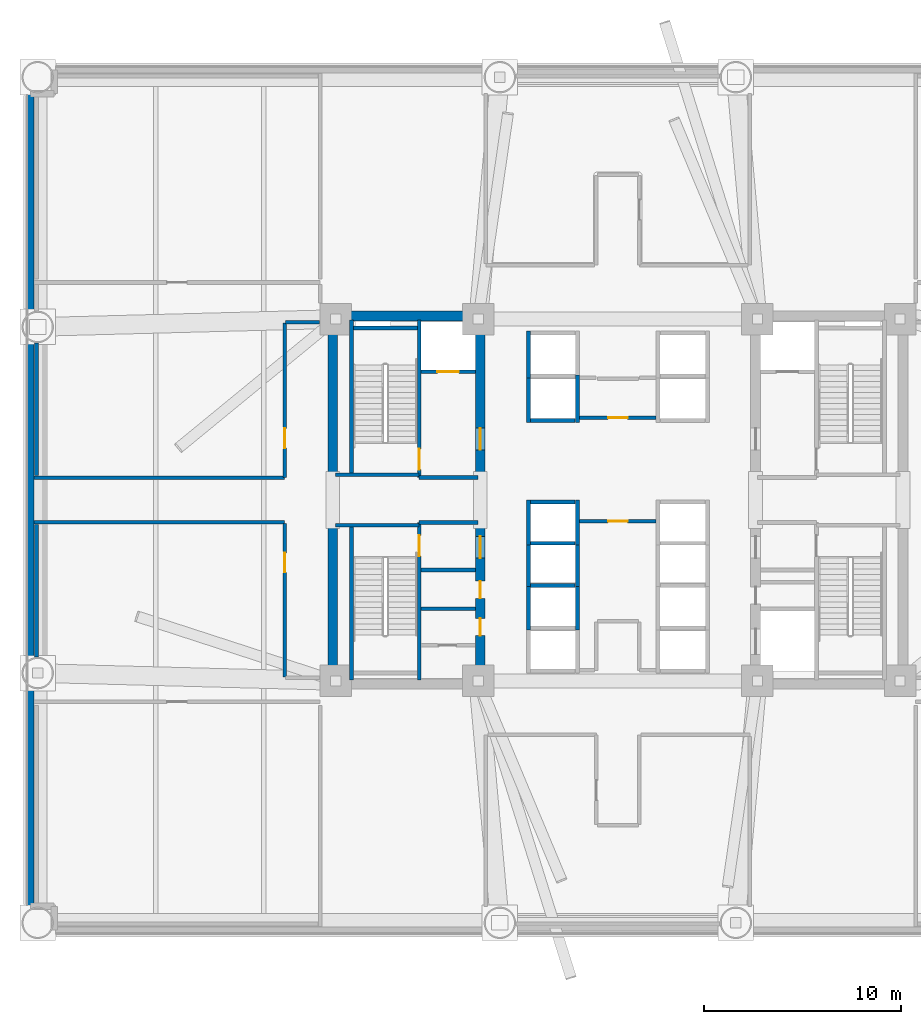
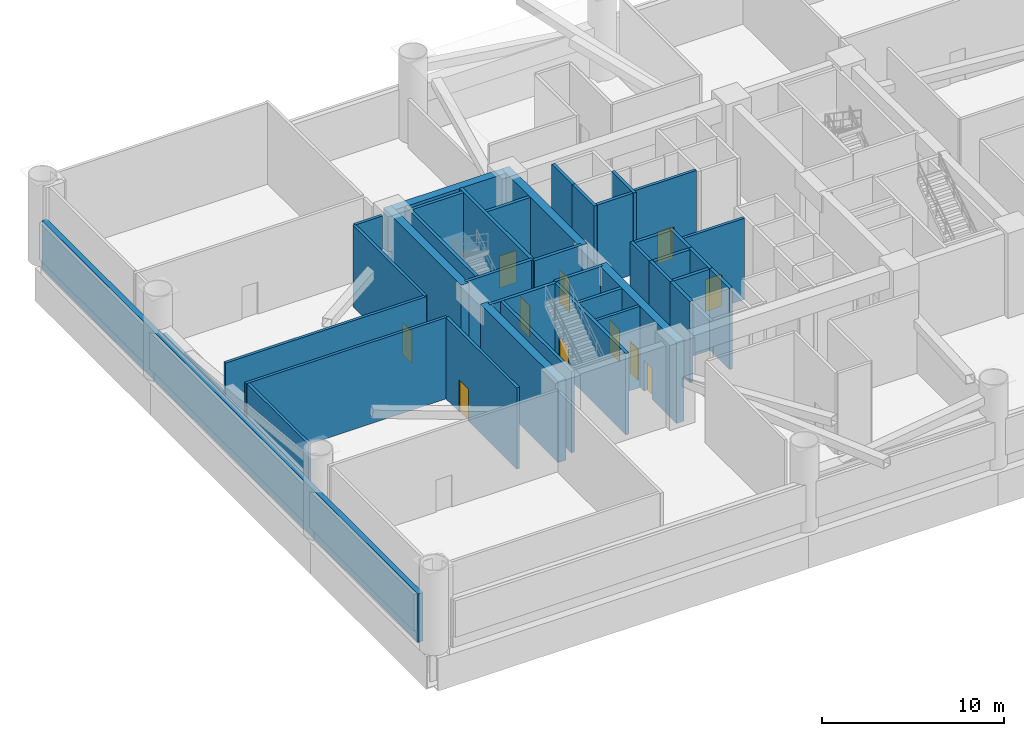
# One storey, part 3 of 10: 40 walls, 11 doors, 11 openings.
"""IFC4 building model written with IfcOpenShell, lengths in metres."""

from ifc_helpers import new_model, si_unit, direction, frame, frame_2d, origin, place, context, subcontext, project, spatial, rectangle, extrude, source, transform, mapped, material, layer, layer_set, type_object, element, fill, save


model = new_model("IFC4")

# Units and contexts
model_context = context("Model", 3, precision=1e-05, world=origin(), true_north=direction((0.0, 1.0)))
body_context = subcontext(model_context, "Body", "Model", "MODEL_VIEW")
ifc_project = project(units=[si_unit("LENGTHUNIT", "METRE"), si_unit("AREAUNIT", "SQUARE_METRE"), si_unit("VOLUMEUNIT", "CUBIC_METRE"), si_unit("PLANEANGLEUNIT", "RADIAN"), si_unit("MASSUNIT", "GRAM", prefix="KILO")], contexts=[model_context])

# Site, building, storey
site_placement = place(None, origin())
site = spatial("IfcSite", under=ifc_project, at=site_placement, CompositionType="ELEMENT")
building_placement = place(site_placement, origin())
building = spatial("IfcBuilding", under=site, at=building_placement, Name="Zahravan Cultural Tower", CompositionType="ELEMENT")
storey_placement = place(building_placement, frame((0.0, 0.0, 23.39990234375)))
storey = spatial("IfcBuildingStorey", under=building, at=storey_placement, Name="L04", CompositionType="ELEMENT", Elevation=23.39990234375)

# Wall, openings, doors
ifc_material_1 = material(Name="Concrete C60/75", Category="concrete")
ifc_layer_1 = layer(ifc_material_1, 0.5)
ifc_layer_set_1 = layer_set([ifc_layer_1], Name="Concrete C60/75")
wall_type_1 = type_object("IfcWallType", Name="CW-SHEAR-500-C60", PredefinedType="SHEAR", material=ifc_layer_set_1)
wall_1_placement = place(storey_placement, frame((29.0, 17.39990234375, 0.0), z_axis=(0.0, 0.0, 1.0), x_axis=(0.0, 1.0, 0.0)))
wall_1 = element("IfcWall", 1, at=wall_1_placement, inside=storey, type_object=wall_type_1, Name="L04 Core Shear Wall CW-W-ES-L04", PredefinedType="SHEAR", context=body_context, shape_type="SweptSolid", body=[
    extrude(rectangle(XDim=8.550048828125, YDim=0.5, at=frame_2d((4.27490234375, 0.0))), origin(), (0.0, 0.0, 1.0), 5.4501953125),
])
opening_1_placement = place(wall_1_placement, frame((6.64990234375, 0.0, 0.0)))
opening_1 = element("IfcOpeningElement", 2, at=opening_1_placement, cuts=wall_1, Name="Opening D-L04-07", PredefinedType="OPENING", context=body_context, shape_type="SweptSolid", body=[
    extrude(rectangle(XDim=1.10009765625, YDim=2.199951171875, at=frame_2d((0.550048828125, 1.10009765625))), frame((0.0, 0.260009765625, 0.0), z_axis=(0.0, -1.0, 0.0), x_axis=(1.0, 0.0, 0.0)), (0.0, 0.0, 1.0), 0.52001953125),
])
opening_2_placement = place(wall_1_placement, frame((2.699951171875, 0.0, 0.0)))
opening_2 = element("IfcOpeningElement", 3, at=opening_2_placement, cuts=wall_1, Name="Opening D-L04-10", PredefinedType="OPENING", context=body_context, shape_type="SweptSolid", body=[
    extrude(rectangle(XDim=0.8798828125, YDim=2.10009765625, at=frame_2d((0.43994140625, 1.050048828125))), frame((0.0, 0.260009765625, 0.0), z_axis=(0.0, -1.0, 0.0), x_axis=(1.0, 0.0, 0.0)), (0.0, 0.0, 1.0), 0.52001953125),
])
opening_3_placement = place(wall_1_placement, frame((4.60009765625, 0.0, 0.0)))
opening_3 = element("IfcOpeningElement", 4, at=opening_3_placement, cuts=wall_1, Name="Opening D-L04-11", PredefinedType="OPENING", context=body_context, shape_type="SweptSolid", body=[
    extrude(rectangle(XDim=0.8798828125, YDim=2.10009765625, at=frame_2d((0.43994140625, 1.050048828125))), frame((0.0, 0.260009765625, 0.0), z_axis=(0.0, -1.0, 0.0), x_axis=(1.0, 0.0, 0.0)), (0.0, 0.0, 1.0), 0.52001953125),
])
ifc_material_2 = material(Name="Steel ASTM A572 Grade 50", Category="steel")
door_type_1 = type_object("IfcDoorType", Name="DR-LOBBY-1100", OperationType="NOTDEFINED", PredefinedType="DOOR", material=ifc_material_2)
shared_shape_1 = source(origin(), body_context, "Body", "SweptSolid", [
    extrude(rectangle(XDim=1.10009765625, YDim=2.199951171875, at=frame_2d((0.550048828125, 1.10009765625))), frame((0.0, 0.02490234375, 0.0), z_axis=(0.0, -1.0, 0.0), x_axis=(1.0, 0.0, 0.0)), (0.0, 0.0, 1.0), 0.050048828125),
])
door_1_placement = place(opening_1_placement, origin())
door_1 = element("IfcDoor", 5, at=door_1_placement, inside=storey, type_object=door_type_1, Name="L04 Door D-L04-07", OperationType="SINGLE_SWING_RIGHT", OverallHeight=2.199951171875, OverallWidth=1.10009765625, PredefinedType="DOOR", context=body_context, shape_type="MappedRepresentation", body=[
    mapped(shared_shape_1, transform((0.0, 0.0, 0.0), x_axis=(1.0, 0.0, 0.0), y_axis=(0.0, 1.0, 0.0), z_axis=(0.0, 0.0, 1.0), scale=1.0)),
])
fill(opening_1, door_1)
door_type_2 = type_object("IfcDoorType", Name="DR-SVC-880", OperationType="NOTDEFINED", PredefinedType="DOOR", material=ifc_material_2)
shared_shape_2 = source(origin(), body_context, "Body", "SweptSolid", [
    extrude(rectangle(XDim=0.8798828125, YDim=2.10009765625, at=frame_2d((0.43994140625, 1.050048828125))), frame((0.0, 0.02490234375, 0.0), z_axis=(0.0, -1.0, 0.0), x_axis=(1.0, 0.0, 0.0)), (0.0, 0.0, 1.0), 0.050048828125),
])
door_2_placement = place(opening_2_placement, origin())
door_2 = element("IfcDoor", 6, at=door_2_placement, inside=storey, type_object=door_type_2, Name="L04 Door D-L04-10", OperationType="SINGLE_SWING_LEFT", OverallHeight=2.10009765625, OverallWidth=0.8798828125, PredefinedType="DOOR", context=body_context, shape_type="MappedRepresentation", body=[
    mapped(shared_shape_2, transform((0.0, 0.0, 0.0), x_axis=(1.0, 0.0, 0.0), y_axis=(0.0, 1.0, 0.0), z_axis=(0.0, 0.0, 1.0), scale=1.0)),
])
fill(opening_2, door_2)
door_3_placement = place(opening_3_placement, origin())
door_3 = element("IfcDoor", 7, at=door_3_placement, inside=storey, type_object=door_type_2, Name="L04 Door D-L04-11", OperationType="SINGLE_SWING_RIGHT", OverallHeight=2.10009765625, OverallWidth=0.8798828125, PredefinedType="DOOR", context=body_context, shape_type="MappedRepresentation", body=[
    mapped(shared_shape_2, transform((0.0, 0.0, 0.0), x_axis=(1.0, 0.0, 0.0), y_axis=(0.0, 1.0, 0.0), z_axis=(0.0, 0.0, 1.0), scale=1.0)),
])
fill(opening_3, door_3)

# Wall, opening, door
wall_2_placement = place(storey_placement, frame((29.0, 28.050048828125, 0.0), z_axis=(0.0, 0.0, 1.0), x_axis=(0.0, 1.0, 0.0)))
wall_2 = element("IfcWall", 8, at=wall_2_placement, inside=storey, type_object=wall_type_1, Name="L04 Core Shear Wall CW-W-EN-L04", PredefinedType="SHEAR", context=body_context, shape_type="SweptSolid", body=[
    extrude(rectangle(XDim=8.550048828125, YDim=0.5, at=frame_2d((4.27490234375, 0.0))), origin(), (0.0, 0.0, 1.0), 5.4501953125),
])
opening_4_placement = place(wall_2_placement, frame((1.5, 0.0, 0.0)))
opening_4 = element("IfcOpeningElement", 9, at=opening_4_placement, cuts=wall_2, Name="Opening D-L04-05", PredefinedType="OPENING", context=body_context, shape_type="SweptSolid", body=[
    extrude(rectangle(XDim=1.10009765625, YDim=2.199951171875, at=frame_2d((0.550048828125, 1.10009765625))), frame((0.0, 0.260009765625, 0.0), z_axis=(0.0, -1.0, 0.0), x_axis=(1.0, 0.0, 0.0)), (0.0, 0.0, 1.0), 0.52001953125),
])
door_4_placement = place(opening_4_placement, origin())
door_4 = element("IfcDoor", 10, at=door_4_placement, inside=storey, type_object=door_type_1, Name="L04 Door D-L04-05", OperationType="SINGLE_SWING_RIGHT", OverallHeight=2.199951171875, OverallWidth=1.10009765625, PredefinedType="DOOR", context=body_context, shape_type="MappedRepresentation", body=[
    mapped(shared_shape_1, transform((0.0, 0.0, 0.0), x_axis=(1.0, 0.0, 0.0), y_axis=(0.0, 1.0, 0.0), z_axis=(0.0, 0.0, 1.0), scale=1.0)),
])
fill(opening_4, door_4)

ifc_material_3 = material(Name="Gypsum plasterboard partition")
ifc_layer_2 = layer(ifc_material_3, 0.179931640625)
ifc_layer_set_2 = layer_set([ifc_layer_2], Name="Gypsum plasterboard partition")
wall_type_2 = type_object("IfcWallType", Name="W-COMP-180", PredefinedType="PARTITIONING", material=ifc_layer_set_2)
wall_3_placement = place(storey_placement, frame((37.945068359375, 31.18994140625, 0.0), z_axis=(0.0, 0.0, 1.0), x_axis=(-1.0, 0.0, 0.0)))
wall_3 = element("IfcWall", 11, at=wall_3_placement, inside=storey, type_object=wall_type_2, Name="L04 Interior Wall 072", PredefinedType="PARTITIONING", context=body_context, shape_type="SweptSolid", body=[
    extrude(rectangle(XDim=3.89013671875, YDim=0.179931640625, at=frame_2d((1.945068359375, 0.0))), origin(), (0.0, 0.0, 1.0), 5.4501953125),
])
opening_5_placement = place(wall_3_placement, frame((1.445068359375, 0.0, 0.0)))
opening_5 = element("IfcOpeningElement", 12, at=opening_5_placement, cuts=wall_3, Name="Opening D-L04-19", PredefinedType="OPENING", context=body_context, shape_type="SweptSolid", body=[
    extrude(rectangle(XDim=1.0, YDim=2.14990234375, at=frame_2d((0.5, 1.074951171875))), frame((0.0, 0.099853515625, 0.0), z_axis=(0.0, -1.0, 0.0), x_axis=(1.0, 0.0, 0.0)), (0.0, 0.0, 1.0), 0.199951171875),
])
door_type_3 = type_object("IfcDoorType", Name="DR-COMP-1000", OperationType="NOTDEFINED", PredefinedType="DOOR", material=ifc_material_2)
shared_shape_3 = source(origin(), body_context, "Body", "SweptSolid", [
    extrude(rectangle(XDim=1.0, YDim=2.14990234375, at=frame_2d((0.5, 1.074951171875))), frame((0.0, 0.02490234375, 0.0), z_axis=(0.0, -1.0, 0.0), x_axis=(1.0, 0.0, 0.0)), (0.0, 0.0, 1.0), 0.050048828125),
])
door_5_placement = place(opening_5_placement, origin())
door_5 = element("IfcDoor", 13, at=door_5_placement, inside=storey, type_object=door_type_3, Name="L04 Door D-L04-19", OperationType="SINGLE_SWING_RIGHT", OverallHeight=2.14990234375, OverallWidth=1.0, PredefinedType="DOOR", context=body_context, shape_type="MappedRepresentation", body=[
    mapped(shared_shape_3, transform((0.0, 0.0, 0.0), x_axis=(1.0, 0.0, 0.0), y_axis=(0.0, 1.0, 0.0), z_axis=(0.0, 0.0, 1.0), scale=1.0)),
])
fill(opening_5, door_5)

wall_4_placement = place(storey_placement, frame((34.054931640625, 25.909912109375, 0.0), z_axis=(0.0, 0.0, 1.0), x_axis=(1.0, 0.0, 0.0)))
wall_4 = element("IfcWall", 14, at=wall_4_placement, inside=storey, type_object=wall_type_2, Name="L04 Interior Wall 073", PredefinedType="PARTITIONING", context=body_context, shape_type="SweptSolid", body=[
    extrude(rectangle(XDim=3.89013671875, YDim=0.179931640625, at=frame_2d((1.945068359375, 0.0))), origin(), (0.0, 0.0, 1.0), 5.4501953125),
])
opening_6_placement = place(wall_4_placement, frame((1.445068359375, 0.0, 0.0)))
opening_6 = element("IfcOpeningElement", 15, at=opening_6_placement, cuts=wall_4, Name="Opening D-L04-20", PredefinedType="OPENING", context=body_context, shape_type="SweptSolid", body=[
    extrude(rectangle(XDim=1.0, YDim=2.14990234375, at=frame_2d((0.5, 1.074951171875))), frame((0.0, 0.099853515625, 0.0), z_axis=(0.0, -1.0, 0.0), x_axis=(1.0, 0.0, 0.0)), (0.0, 0.0, 1.0), 0.199951171875),
])
door_6_placement = place(opening_6_placement, origin())
door_6 = element("IfcDoor", 16, at=door_6_placement, inside=storey, type_object=door_type_3, Name="L04 Door D-L04-20", OperationType="SINGLE_SWING_LEFT", OverallHeight=2.14990234375, OverallWidth=1.0, PredefinedType="DOOR", context=body_context, shape_type="MappedRepresentation", body=[
    mapped(shared_shape_3, transform((0.0, 0.0, 0.0), x_axis=(1.0, 0.0, 0.0), y_axis=(0.0, 1.0, 0.0), z_axis=(0.0, 0.0, 1.0), scale=1.0)),
])
fill(opening_6, door_6)

wall_5_placement = place(storey_placement, frame((19.06005859375, 25.800048828125, 0.0), z_axis=(0.0, 0.0, 1.0), x_axis=(0.000250109415, -0.999999968723, 0.0)))
wall_5 = element("IfcWall", 17, at=wall_5_placement, inside=storey, type_object=wall_type_2, Name="L04 Interior Wall 080", PredefinedType="PARTITIONING", context=body_context, shape_type="SweptSolid", body=[
    extrude(rectangle(XDim=7.80908203125, YDim=0.179931640625, at=frame_2d((3.904541015625, 0.0))), origin(), (0.0, 0.0, 1.0), 5.4501953125),
])
opening_7_placement = place(wall_5_placement, frame((1.48388671875, 0.0, 0.0)))
opening_7 = element("IfcOpeningElement", 18, at=opening_7_placement, cuts=wall_5, Name="Opening D-L04-15", PredefinedType="OPENING", context=body_context, shape_type="SweptSolid", body=[
    extrude(rectangle(XDim=1.0, YDim=2.14990234375, at=frame_2d((0.5, 1.074951171875))), frame((0.0, 0.099853515625, 0.0), z_axis=(0.0, -1.0, 0.0), x_axis=(1.0, 0.0, 0.0)), (0.0, 0.0, 1.0), 0.199951171875),
])
door_7_placement = place(opening_7_placement, origin())
door_7 = element("IfcDoor", 19, at=door_7_placement, inside=storey, type_object=door_type_3, Name="L04 Door D-L04-15", OperationType="SINGLE_SWING_RIGHT", OverallHeight=2.14990234375, OverallWidth=1.0, PredefinedType="DOOR", context=body_context, shape_type="MappedRepresentation", body=[
    mapped(shared_shape_3, transform((0.0, 0.0, 0.0), x_axis=(1.0, 0.0, 0.0), y_axis=(0.0, 1.0, 0.0), z_axis=(0.0, 0.0, 1.0), scale=1.0)),
])
fill(opening_7, door_7)

wall_6_placement = place(storey_placement, frame((19.06201171875, 36.009033203125, 0.0), z_axis=(0.0, 0.0, 1.0), x_axis=(-0.000248200538, -0.999999969198, 0.0)))
wall_6 = element("IfcWall", 20, at=wall_6_placement, inside=storey, type_object=wall_type_2, Name="L04 Interior Wall 108", PredefinedType="PARTITIONING", context=body_context, shape_type="SweptSolid", body=[
    extrude(rectangle(XDim=7.869140625, YDim=0.179931640625, at=frame_2d((3.9345703125, 0.0))), origin(), (0.0, 0.0, 1.0), 5.4501953125),
])
opening_8_placement = place(wall_6_placement, frame((5.371826171875, 0.0, 0.0)))
opening_8 = element("IfcOpeningElement", 21, at=opening_8_placement, cuts=wall_6, Name="Opening D-L04-16", PredefinedType="OPENING", context=body_context, shape_type="SweptSolid", body=[
    extrude(rectangle(XDim=1.0, YDim=2.14990234375, at=frame_2d((0.5, 1.074951171875))), frame((0.0, 0.099853515625, 0.0), z_axis=(0.0, -1.0, 0.0), x_axis=(1.0, 0.0, 0.0)), (0.0, 0.0, 1.0), 0.199951171875),
])
door_8_placement = place(opening_8_placement, origin())
door_8 = element("IfcDoor", 22, at=door_8_placement, inside=storey, type_object=door_type_3, Name="L04 Door D-L04-16", OperationType="SINGLE_SWING_LEFT", OverallHeight=2.14990234375, OverallWidth=1.0, PredefinedType="DOOR", context=body_context, shape_type="MappedRepresentation", body=[
    mapped(shared_shape_3, transform((0.0, 0.0, 0.0), x_axis=(1.0, 0.0, 0.0), y_axis=(0.0, 1.0, 0.0), z_axis=(0.0, 0.0, 1.0), scale=1.0)),
])
fill(opening_8, door_8)

ifc_material_4 = material(Name="Concrete C45/55", Category="concrete")
ifc_layer_3 = layer(ifc_material_4, 0.199951171875)
ifc_layer_set_3 = layer_set([ifc_layer_3], Name="Concrete C45/55")
wall_type_3 = type_object("IfcWallType", Name="W-SHAFT-200", PredefinedType="SOLIDWALL", material=ifc_layer_set_3)
wall_7_placement = place(storey_placement, frame((25.89990234375, 17.85009765625, 0.0), z_axis=(0.0, 0.0, 1.0), x_axis=(0.0, 1.0, 0.0)))
wall_7 = element("IfcWall", 23, at=wall_7_placement, inside=storey, type_object=wall_type_3, Name="L04 Interior Wall 005", PredefinedType="SOLIDWALL", context=body_context, shape_type="SweptSolid", body=[
    extrude(rectangle(XDim=8.0, YDim=0.199951171875, at=frame_2d((4.0, 0.0))), origin(), (0.0, 0.0, 1.0), 5.4501953125),
])
opening_9_placement = place(wall_7_placement, frame((6.300048828125, 0.0, 0.0)))
opening_9 = element("IfcOpeningElement", 24, at=opening_9_placement, cuts=wall_7, Name="Opening D-L04-04", PredefinedType="OPENING", context=body_context, shape_type="SweptSolid", body=[
    extrude(rectangle(XDim=1.050048828125, YDim=2.14990234375, at=frame_2d((0.52490234375, 1.074951171875))), frame((0.0, 0.10986328125, 0.0), z_axis=(0.0, -1.0, 0.0), x_axis=(1.0, 0.0, 0.0)), (0.0, 0.0, 1.0), 0.219970703125),
])
door_type_4 = type_object("IfcDoorType", Name="DR-STAIR-1050", OperationType="NOTDEFINED", PredefinedType="DOOR", material=ifc_material_2)
shared_shape_4 = source(origin(), body_context, "Body", "SweptSolid", [
    extrude(rectangle(XDim=1.050048828125, YDim=2.14990234375, at=frame_2d((0.52490234375, 1.074951171875))), frame((0.0, 0.02490234375, 0.0), z_axis=(0.0, -1.0, 0.0), x_axis=(1.0, 0.0, 0.0)), (0.0, 0.0, 1.0), 0.050048828125),
])
door_9_placement = place(opening_9_placement, origin())
door_9 = element("IfcDoor", 25, at=door_9_placement, inside=storey, type_object=door_type_4, Name="L04 Door D-L04-04", OperationType="SINGLE_SWING_LEFT", OverallHeight=2.14990234375, OverallWidth=1.050048828125, PredefinedType="DOOR", context=body_context, shape_type="MappedRepresentation", body=[
    mapped(shared_shape_4, transform((0.0, 0.0, 0.0), x_axis=(1.0, 0.0, 0.0), y_axis=(0.0, 1.0, 0.0), z_axis=(0.0, 0.0, 1.0), scale=1.0)),
])
fill(opening_9, door_9)

wall_8_placement = place(storey_placement, frame((25.89990234375, 28.14990234375, 0.0), z_axis=(0.0, 0.0, 1.0), x_axis=(0.0, 1.0, 0.0)))
wall_8 = element("IfcWall", 26, at=wall_8_placement, inside=storey, type_object=wall_type_3, Name="L04 Interior Wall 006", PredefinedType="SOLIDWALL", context=body_context, shape_type="SweptSolid", body=[
    extrude(rectangle(XDim=8.0, YDim=0.199951171875, at=frame_2d((4.0, 0.0))), origin(), (0.0, 0.0, 1.0), 5.4501953125),
])
opening_10_placement = place(wall_8_placement, frame((0.39990234375, 0.0, 0.0)))
opening_10 = element("IfcOpeningElement", 27, at=opening_10_placement, cuts=wall_8, Name="Opening D-L04-01", PredefinedType="OPENING", context=body_context, shape_type="SweptSolid", body=[
    extrude(rectangle(XDim=1.050048828125, YDim=2.14990234375, at=frame_2d((0.52490234375, 1.074951171875))), frame((0.0, 0.10986328125, 0.0), z_axis=(0.0, -1.0, 0.0), x_axis=(1.0, 0.0, 0.0)), (0.0, 0.0, 1.0), 0.219970703125),
])
door_10_placement = place(opening_10_placement, origin())
door_10 = element("IfcDoor", 28, at=door_10_placement, inside=storey, type_object=door_type_4, Name="L04 Door D-L04-01", OperationType="SINGLE_SWING_RIGHT", OverallHeight=2.14990234375, OverallWidth=1.050048828125, PredefinedType="DOOR", context=body_context, shape_type="MappedRepresentation", body=[
    mapped(shared_shape_4, transform((0.0, 0.0, 0.0), x_axis=(1.0, 0.0, 0.0), y_axis=(0.0, 1.0, 0.0), z_axis=(0.0, 0.0, 1.0), scale=1.0)),
])
fill(opening_10, door_10)

wall_9_placement = place(storey_placement, frame((26.0, 33.52001953125, 0.0), z_axis=(0.0, 0.0, 1.0), x_axis=(1.0, 0.0, 0.0)))
wall_9 = element("IfcWall", 29, at=wall_9_placement, inside=storey, type_object=wall_type_3, Name="L04 Interior Wall 021", PredefinedType="SOLIDWALL", context=body_context, shape_type="SweptSolid", body=[
    extrude(rectangle(XDim=2.75, YDim=0.199951171875, at=frame_2d((1.375, 0.0))), origin(), (0.0, 0.0, 1.0), 5.4501953125),
])
opening_11_placement = place(wall_9_placement, frame((0.820068359375, 0.0, 0.0)))
opening_11 = element("IfcOpeningElement", 30, at=opening_11_placement, cuts=wall_9, Name="Opening LD-L04-01", PredefinedType="OPENING", context=body_context, shape_type="SweptSolid", body=[
    extrude(rectangle(XDim=1.10009765625, YDim=2.14990234375, at=frame_2d((0.550048828125, 1.074951171875))), frame((0.0, 0.10986328125, 0.0), z_axis=(0.0, -1.0, 0.0), x_axis=(1.0, 0.0, 0.0)), (0.0, 0.0, 1.0), 0.219970703125),
])
door_type_5 = type_object("IfcDoorType", Name="DR-LIFT-1100", OperationType="DOUBLE_DOOR_SLIDING", PredefinedType="DOOR", material=ifc_material_2)
shared_shape_5 = source(origin(), body_context, "Body", "SweptSolid", [
    extrude(rectangle(XDim=1.10009765625, YDim=2.14990234375, at=frame_2d((0.550048828125, 1.074951171875))), frame((0.0, 0.02490234375, 0.0), z_axis=(0.0, -1.0, 0.0), x_axis=(1.0, 0.0, 0.0)), (0.0, 0.0, 1.0), 0.050048828125),
])
door_11_placement = place(opening_11_placement, origin())
door_11 = element("IfcDoor", 31, at=door_11_placement, inside=storey, type_object=door_type_5, Name="L04 Door LD-L04-01", OperationType="DOUBLE_DOOR_SLIDING", OverallHeight=2.14990234375, OverallWidth=1.10009765625, PredefinedType="DOOR", context=body_context, shape_type="MappedRepresentation", body=[
    mapped(shared_shape_5, transform((0.0, 0.0, 0.0), x_axis=(1.0, 0.0, 0.0), y_axis=(0.0, 1.0, 0.0), z_axis=(0.0, 0.0, 1.0), scale=1.0)),
])
fill(opening_11, door_11)

# Walls
shared_shape_6 = source(origin(), body_context, "Body", "SweptSolid", [
    extrude(rectangle(XDim=8.550048828125, YDim=0.5, at=frame_2d((4.27490234375, 0.0))), origin(), (0.0, 0.0, 1.0), 5.4501953125),
])
for number, where, z_axis, x_axis, name in (
    (32, (21.5, 17.39990234375, 0.0), (0.0, 0.0, 1.0), (0.0, 1.0, 0.0), "L04 Core Shear Wall CW-W-WS-L04"),
    (33, (21.5, 28.050048828125, 0.0), (0.0, 0.0, 1.0), (0.0, 1.0, 0.0), "L04 Core Shear Wall CW-W-WN-L04"),
):
    element("IfcWall", number, at=place(storey_placement, frame(where, z_axis=z_axis, x_axis=x_axis)), inside=storey, type_object=wall_type_1, Name=name, PredefinedType="SHEAR", context=body_context, shape_type="MappedRepresentation", body=[
        mapped(shared_shape_6, transform((0.0, 0.0, 0.0), x_axis=(1.0, 0.0, 0.0), y_axis=(0.0, 1.0, 0.0), z_axis=(0.0, 0.0, 1.0), scale=1.0)),
    ])
shared_shape_7 = source(origin(), body_context, "Body", "SweptSolid", [
    extrude(rectangle(XDim=7.0, YDim=0.5, at=frame_2d((3.5, 0.0))), origin(), (0.0, 0.0, 1.0), 5.4501953125),
])
wall_10_placement = place(storey_placement, frame((21.75, 36.35009765625, 0.0), z_axis=(0.0, 0.0, 1.0), x_axis=(1.0, 0.0, 0.0)))
element("IfcWall", 34, at=wall_10_placement, inside=storey, type_object=wall_type_1, Name="L04 Core Shear Wall CW-W-N-L04", PredefinedType="SHEAR", context=body_context, shape_type="MappedRepresentation", body=[
    mapped(shared_shape_7, transform((0.0, 0.0, 0.0), x_axis=(1.0, 0.0, 0.0), y_axis=(0.0, 1.0, 0.0), z_axis=(0.0, 0.0, 1.0), scale=1.0)),
])
ifc_material_5 = material(Name="Precast concrete C40/50", Category="concrete")
ifc_layer_4 = layer(ifc_material_5, 0.320068359375)
ifc_layer_set_4 = layer_set([ifc_layer_4], Name="Precast concrete C40/50")
wall_type_4 = type_object("IfcWallType", Name="EW-TC-320", PredefinedType="SOLIDWALL", material=ifc_layer_set_4)
shared_shape_8 = source(origin(), body_context, "Body", "SweptSolid", [
    extrude(rectangle(XDim=41.31982421875, YDim=0.320068359375, at=frame_2d((20.659912109375, 0.0))), origin(), (0.0, 0.0, 1.0), 3.2421875),
])
wall_11_placement = place(storey_placement, frame((6.139892578125, 6.340087890625, 0.0), z_axis=(0.0, 0.0, 1.0), x_axis=(0.0, 1.0, 0.0)))
element("IfcWall", 35, at=wall_11_placement, inside=storey, type_object=wall_type_4, Name="L04 Exterior Masonry Frame Wall 07", PredefinedType="SOLIDWALL", context=body_context, shape_type="MappedRepresentation", body=[
    mapped(shared_shape_8, transform((0.0, 0.0, 0.0), x_axis=(1.0, 0.0, 0.0), y_axis=(0.0, 1.0, 0.0), z_axis=(0.0, 0.0, 1.0), scale=1.0)),
])
shared_shape_9 = source(origin(), body_context, "Body", "SweptSolid", [
    extrude(rectangle(XDim=7.869873046875, YDim=0.199951171875, at=frame_2d((3.93505859375, 0.0))), origin(), (0.0, 0.0, 1.0), 5.4501953125),
])
for number, where, z_axis, x_axis, name in (
    (36, (22.449951171875, 17.85009765625, 0.0), (0.0, 0.0, 1.0), (0.0, 1.0, 0.0), "L04 Interior Wall 001"),
    (37, (22.449951171875, 28.280029296875, 0.0), (0.0, 0.0, 1.0), (0.0, 1.0, 0.0), "L04 Interior Wall 002"),
):
    element("IfcWall", number, at=place(storey_placement, frame(where, z_axis=z_axis, x_axis=x_axis)), inside=storey, type_object=wall_type_3, Name=name, PredefinedType="SOLIDWALL", context=body_context, shape_type="MappedRepresentation", body=[
        mapped(shared_shape_9, transform((0.0, 0.0, 0.0), x_axis=(1.0, 0.0, 0.0), y_axis=(0.0, 1.0, 0.0), z_axis=(0.0, 0.0, 1.0), scale=1.0)),
    ])
shared_shape_10 = source(origin(), body_context, "Body", "SweptSolid", [
    extrude(rectangle(XDim=4.25, YDim=0.199951171875, at=frame_2d((2.125, 0.0))), origin(), (0.0, 0.0, 1.0), 5.4501953125),
])
for number, where, z_axis, x_axis, name in (
    (38, (21.64990234375, 25.715087890625, 0.0), (0.0, 0.0, 1.0), (1.0, 0.0, 0.0), "L04 Interior Wall 009"),
    (39, (21.64990234375, 28.284912109375, 0.0), (0.0, 0.0, 1.0), (1.0, 0.0, 0.0), "L04 Interior Wall 011"),
):
    element("IfcWall", number, at=place(storey_placement, frame(where, z_axis=z_axis, x_axis=x_axis)), inside=storey, type_object=wall_type_3, Name=name, PredefinedType="SOLIDWALL", context=body_context, shape_type="MappedRepresentation", body=[
        mapped(shared_shape_10, transform((0.0, 0.0, 0.0), x_axis=(1.0, 0.0, 0.0), y_axis=(0.0, 1.0, 0.0), z_axis=(0.0, 0.0, 1.0), scale=1.0)),
    ])
shared_shape_11 = source(origin(), body_context, "Body", "SweptSolid", [
    extrude(rectangle(XDim=3.0, YDim=0.199951171875, at=frame_2d((1.5, 0.0))), origin(), (0.0, 0.0, 1.0), 5.4501953125),
])
for number, where, z_axis, x_axis, name in (
    (40, (25.89990234375, 25.85009765625, 0.0), (0.0, 0.0, 1.0), (1.0, 0.0, 0.0), "L04 Interior Wall 010"),
    (41, (25.89990234375, 28.14990234375, 0.0), (0.0, 0.0, 1.0), (1.0, 0.0, 0.0), "L04 Interior Wall 012"),
):
    element("IfcWall", number, at=place(storey_placement, frame(where, z_axis=z_axis, x_axis=x_axis)), inside=storey, type_object=wall_type_3, Name=name, PredefinedType="SOLIDWALL", context=body_context, shape_type="MappedRepresentation", body=[
        mapped(shared_shape_11, transform((0.0, 0.0, 0.0), x_axis=(1.0, 0.0, 0.0), y_axis=(0.0, 1.0, 0.0), z_axis=(0.0, 0.0, 1.0), scale=1.0)),
    ])
shared_shape_12 = source(origin(), body_context, "Body", "SweptSolid", [
    extrude(rectangle(XDim=3.25, YDim=0.199951171875, at=frame_2d((1.625, 0.0))), origin(), (0.0, 0.0, 1.0), 5.4501953125),
])
wall_12_placement = place(storey_placement, frame((22.550048828125, 35.75, 0.0), z_axis=(0.0, 0.0, 1.0), x_axis=(1.0, 0.0, 0.0)))
element("IfcWall", 42, at=wall_12_placement, inside=storey, type_object=wall_type_3, Name="L04 Interior Wall 017", PredefinedType="SOLIDWALL", context=body_context, shape_type="MappedRepresentation", body=[
    mapped(shared_shape_12, transform((0.0, 0.0, 0.0), x_axis=(1.0, 0.0, 0.0), y_axis=(0.0, 1.0, 0.0), z_axis=(0.0, 0.0, 1.0), scale=1.0)),
])
shared_shape_13 = source(origin(), body_context, "Body", "SweptSolid", [
    extrude(rectangle(XDim=2.75, YDim=0.199951171875, at=frame_2d((1.375, 0.0))), origin(), (0.0, 0.0, 1.0), 5.4501953125),
])
wall_13_placement = place(storey_placement, frame((26.0, 23.449951171875, 0.0), z_axis=(0.0, 0.0, 1.0), x_axis=(1.0, 0.0, 0.0)))
element("IfcWall", 43, at=wall_13_placement, inside=storey, type_object=wall_type_3, Name="L04 Interior Wall 023", PredefinedType="SOLIDWALL", context=body_context, shape_type="MappedRepresentation", body=[
    mapped(shared_shape_13, transform((0.0, 0.0, 0.0), x_axis=(1.0, 0.0, 0.0), y_axis=(0.0, 1.0, 0.0), z_axis=(0.0, 0.0, 1.0), scale=1.0)),
])
shared_shape_14 = source(origin(), body_context, "Body", "SweptSolid", [
    extrude(rectangle(XDim=2.75, YDim=0.179931640625, at=frame_2d((1.375, 0.0))), origin(), (0.0, 0.0, 1.0), 5.4501953125),
])
wall_14_placement = place(storey_placement, frame((26.0, 21.47998046875, 0.0), z_axis=(0.0, 0.0, 1.0), x_axis=(1.0, 0.0, 0.0)))
element("IfcWall", 44, at=wall_14_placement, inside=storey, type_object=wall_type_2, Name="L04 Interior Wall 027", PredefinedType="PARTITIONING", context=body_context, shape_type="MappedRepresentation", body=[
    mapped(shared_shape_14, transform((0.0, 0.0, 0.0), x_axis=(1.0, 0.0, 0.0), y_axis=(0.0, 1.0, 0.0), z_axis=(0.0, 0.0, 1.0), scale=1.0)),
])
shared_shape_15 = source(origin(), body_context, "Body", "SweptSolid", [
    extrude(rectangle(XDim=2.400146484375, YDim=0.199951171875, at=frame_2d((1.2001953125, 0.0))), origin(), (0.0, 0.0, 1.0), 5.4501953125),
])
for number, where, z_axis, x_axis, name in (
    (45, (31.449951171875, 33.199951171875, 0.0), (0.0, 0.0, 1.0), (0.0, 1.0, 0.0), "L04 Interior Wall 029"),
    (46, (31.449951171875, 30.949951171875, 0.0), (0.0, 0.0, 1.0), (0.0, 1.0, 0.0), "L04 Interior Wall 033"),
    (47, (33.949951171875, 30.949951171875, 0.0), (0.0, 0.0, 1.0), (0.0, 1.0, 0.0), "L04 Interior Wall 034"),
):
    element("IfcWall", number, at=place(storey_placement, frame(where, z_axis=z_axis, x_axis=x_axis)), inside=storey, type_object=wall_type_3, Name=name, PredefinedType="SOLIDWALL", context=body_context, shape_type="MappedRepresentation", body=[
        mapped(shared_shape_15, transform((0.0, 0.0, 0.0), x_axis=(1.0, 0.0, 0.0), y_axis=(0.0, 1.0, 0.0), z_axis=(0.0, 0.0, 1.0), scale=1.0)),
    ])
shared_shape_16 = source(origin(), body_context, "Body", "SweptSolid", [
    extrude(rectangle(XDim=2.260009765625, YDim=0.199951171875, at=frame_2d((1.1298828125, 0.0))), origin(), (0.0, 0.0, 1.0), 5.4501953125),
])
for number, where, z_axis, x_axis, name in (
    (48, (31.570068359375, 31.050048828125, 0.0), (0.0, 0.0, 1.0), (1.0, 0.0, 0.0), "L04 Interior Wall 035"),
    (49, (31.570068359375, 22.64990234375, 0.0), (0.0, 0.0, 1.0), (1.0, 0.0, 0.0), "L04 Interior Wall 046"),
    (50, (31.570068359375, 24.800048828125, 0.0), (0.0, 0.0, 1.0), (1.0, 0.0, 0.0), "L04 Interior Wall 059"),
    (51, (31.570068359375, 26.89990234375, 0.0), (0.0, 0.0, 1.0), (1.0, 0.0, 0.0), "L04 Interior Wall 060"),
):
    element("IfcWall", number, at=place(storey_placement, frame(where, z_axis=z_axis, x_axis=x_axis)), inside=storey, type_object=wall_type_3, Name=name, PredefinedType="SOLIDWALL", context=body_context, shape_type="MappedRepresentation", body=[
        mapped(shared_shape_16, transform((0.0, 0.0, 0.0), x_axis=(1.0, 0.0, 0.0), y_axis=(0.0, 1.0, 0.0), z_axis=(0.0, 0.0, 1.0), scale=1.0)),
    ])
shared_shape_17 = source(origin(), body_context, "Body", "SweptSolid", [
    extrude(rectangle(XDim=2.35009765625, YDim=0.199951171875, at=frame_2d((1.175048828125, 0.0))), origin(), (0.0, 0.0, 1.0), 5.4501953125),
])
for number, where, z_axis, x_axis, name in (
    (52, (31.449951171875, 20.39990234375, 0.0), (0.0, 0.0, 1.0), (0.0, 1.0, 0.0), "L04 Interior Wall 043"),
    (53, (33.949951171875, 20.39990234375, 0.0), (0.0, 0.0, 1.0), (0.0, 1.0, 0.0), "L04 Interior Wall 044"),
):
    element("IfcWall", number, at=place(storey_placement, frame(where, z_axis=z_axis, x_axis=x_axis)), inside=storey, type_object=wall_type_3, Name=name, PredefinedType="SOLIDWALL", context=body_context, shape_type="MappedRepresentation", body=[
        mapped(shared_shape_17, transform((0.0, 0.0, 0.0), x_axis=(1.0, 0.0, 0.0), y_axis=(0.0, 1.0, 0.0), z_axis=(0.0, 0.0, 1.0), scale=1.0)),
    ])
shared_shape_18 = source(origin(), body_context, "Body", "SweptSolid", [
    extrude(rectangle(XDim=2.300048828125, YDim=0.199951171875, at=frame_2d((1.14990234375, 0.0))), origin(), (0.0, 0.0, 1.0), 5.4501953125),
])
for number, where, z_axis, x_axis, name in (
    (54, (31.449951171875, 24.699951171875, 0.0), (0.0, 0.0, 1.0), (0.0, 1.0, 0.0), "L04 Interior Wall 057"),
    (55, (33.949951171875, 24.699951171875, 0.0), (0.0, 0.0, 1.0), (0.0, 1.0, 0.0), "L04 Interior Wall 058"),
):
    element("IfcWall", number, at=place(storey_placement, frame(where, z_axis=z_axis, x_axis=x_axis)), inside=storey, type_object=wall_type_3, Name=name, PredefinedType="SOLIDWALL", context=body_context, shape_type="MappedRepresentation", body=[
        mapped(shared_shape_18, transform((0.0, 0.0, 0.0), x_axis=(1.0, 0.0, 0.0), y_axis=(0.0, 1.0, 0.0), z_axis=(0.0, 0.0, 1.0), scale=1.0)),
    ])
shared_shape_19 = source(origin(), body_context, "Body", "SweptSolid", [
    extrude(rectangle(XDim=2.2998046875, YDim=0.199951171875, at=frame_2d((1.14990234375, 0.0))), origin(), (0.0, 0.0, 1.0), 5.4501953125),
])
for number, where, z_axis, x_axis, name in (
    (56, (31.449951171875, 22.60009765625, 0.0), (0.0, 0.0, 1.0), (0.0, 1.0, 0.0), "L04 Interior Wall 061"),
    (57, (33.949951171875, 22.60009765625, 0.0), (0.0, 0.0, 1.0), (0.0, 1.0, 0.0), "L04 Interior Wall 062"),
):
    element("IfcWall", number, at=place(storey_placement, frame(where, z_axis=z_axis, x_axis=x_axis)), inside=storey, type_object=wall_type_3, Name=name, PredefinedType="SOLIDWALL", context=body_context, shape_type="MappedRepresentation", body=[
        mapped(shared_shape_19, transform((0.0, 0.0, 0.0), x_axis=(1.0, 0.0, 0.0), y_axis=(0.0, 1.0, 0.0), z_axis=(0.0, 0.0, 1.0), scale=1.0)),
    ])
shared_shape_20 = source(origin(), body_context, "Body", "SweptSolid", [
    extrude(rectangle(XDim=12.755126953125, YDim=0.179931640625, at=frame_2d((6.37744140625, 0.0))), origin(), (0.0, 0.0, 1.0), 5.4501953125),
])
for number, where, z_axis, x_axis, name in (
    (58, (6.304931640625, 25.860107421875, 0.0), (0.0, 0.0, 1.0), (1.0, 0.0, 0.0), "L04 Interior Wall 079"),
    (59, (19.06005859375, 28.139892578125, 0.0), (0.0, 0.0, 1.0), (-1.0, 0.0, 0.0), "L04 Interior Wall 109"),
):
    element("IfcWall", number, at=place(storey_placement, frame(where, z_axis=z_axis, x_axis=x_axis)), inside=storey, type_object=wall_type_2, Name=name, PredefinedType="PARTITIONING", context=body_context, shape_type="MappedRepresentation", body=[
        mapped(shared_shape_20, transform((0.0, 0.0, 0.0), x_axis=(1.0, 0.0, 0.0), y_axis=(0.0, 1.0, 0.0), z_axis=(0.0, 0.0, 1.0), scale=1.0)),
    ])
shared_shape_21 = source(origin(), body_context, "Body", "SweptSolid", [
    extrude(rectangle(XDim=6.744873046875, YDim=0.179931640625, at=frame_2d((3.37255859375, 0.0))), origin(), (0.0, 0.0, 1.0), 5.4501953125),
])
wall_15_placement = place(storey_placement, frame((6.43994140625, 19.02001953125, 0.0), z_axis=(0.0, 0.0, 1.0), x_axis=(0.0, 1.0, 0.0)))
element("IfcWall", 60, at=wall_15_placement, inside=storey, type_object=wall_type_2, Name="L04 Interior Wall 083", PredefinedType="PARTITIONING", context=body_context, shape_type="MappedRepresentation", body=[
    mapped(shared_shape_21, transform((0.0, 0.0, 0.0), x_axis=(1.0, 0.0, 0.0), y_axis=(0.0, 1.0, 0.0), z_axis=(0.0, 0.0, 1.0), scale=1.0)),
])
shared_shape_22 = source(origin(), body_context, "Body", "SweptSolid", [
    extrude(rectangle(XDim=6.744873046875, YDim=0.179931640625, at=frame_2d((3.37255859375, 0.0))), origin(), (0.0, 0.0, 1.0), 3.2421875),
])
wall_16_placement = place(storey_placement, frame((6.43994140625, 28.235107421875, 0.0), z_axis=(0.0, 0.0, 1.0), x_axis=(0.0, 1.0, 0.0)))
element("IfcWall", 61, at=wall_16_placement, inside=storey, type_object=wall_type_2, Name="L04 Interior Wall 110", PredefinedType="PARTITIONING", context=body_context, shape_type="MappedRepresentation", body=[
    mapped(shared_shape_22, transform((0.0, 0.0, 0.0), x_axis=(1.0, 0.0, 0.0), y_axis=(0.0, 1.0, 0.0), z_axis=(0.0, 0.0, 1.0), scale=1.0)),
])
shared_shape_23 = source(origin(), body_context, "Body", "SweptSolid", [
    extrude(rectangle(XDim=1.7255859375, YDim=0.179931640625, at=frame_2d((0.86279296875, 0.0))), origin(), (0.0, 0.0, 1.0), 5.4501953125),
])
wall_17_placement = place(storey_placement, frame((20.830078125, 36.0400390625, 0.0), z_axis=(0.0, 0.0, 1.0), x_axis=(-1.0, 0.0, 0.0)))
element("IfcWall", 62, at=wall_17_placement, inside=storey, type_object=wall_type_2, Name="L04 Interior Wall 107", PredefinedType="PARTITIONING", context=body_context, shape_type="MappedRepresentation", body=[
    mapped(shared_shape_23, transform((0.0, 0.0, 0.0), x_axis=(1.0, 0.0, 0.0), y_axis=(0.0, 1.0, 0.0), z_axis=(0.0, 0.0, 1.0), scale=1.0)),
])

save(model, "model.ifc")
